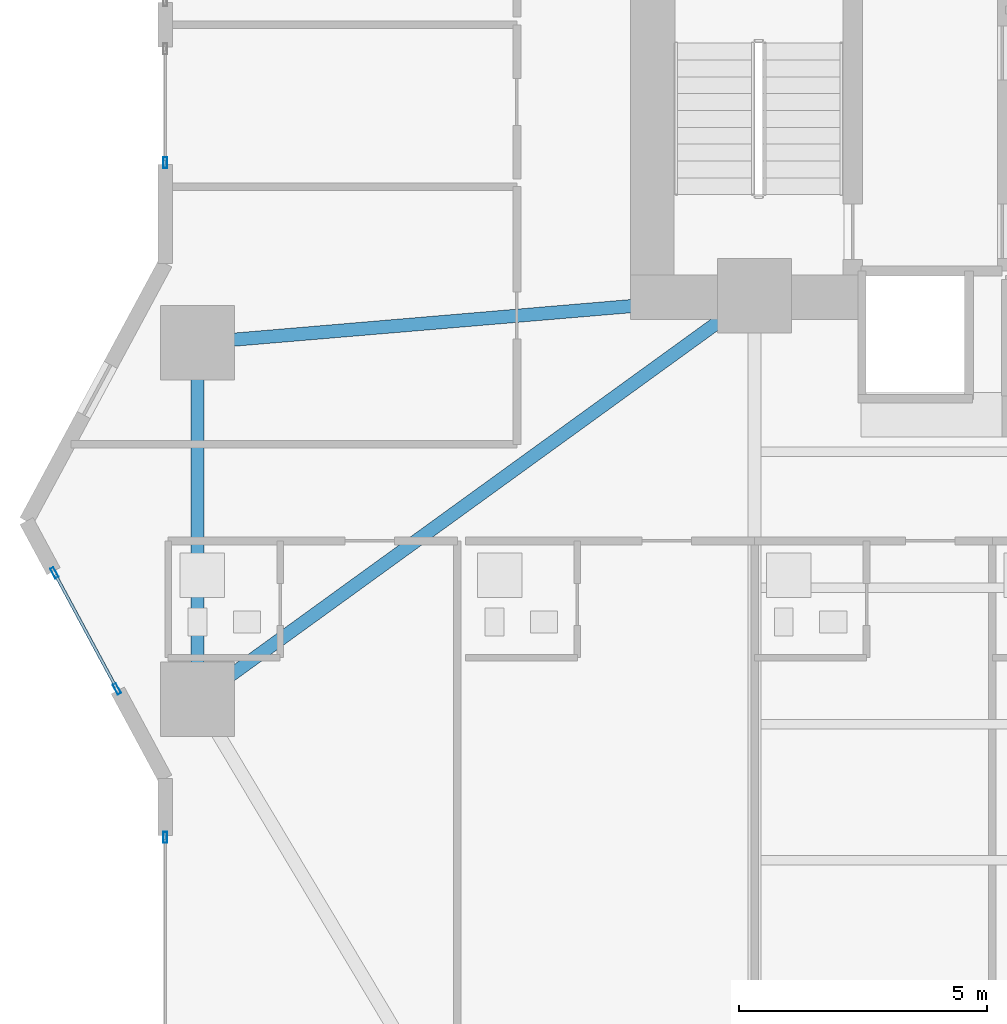
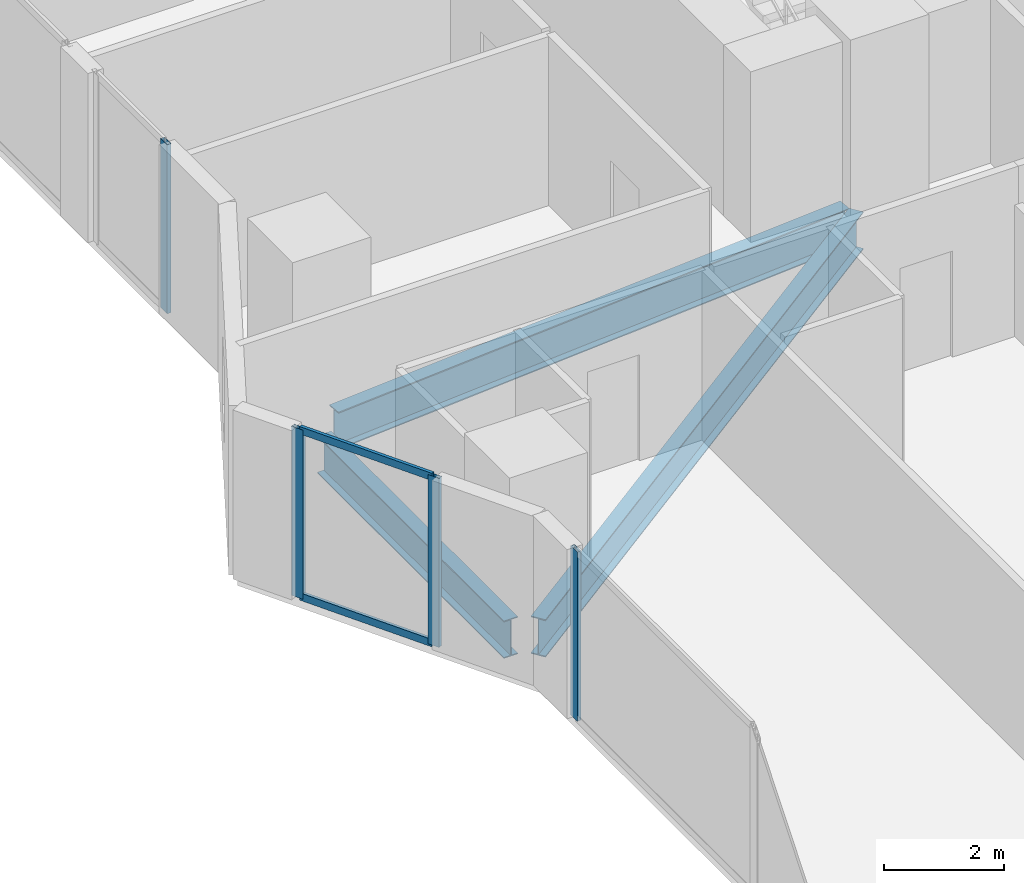
# One storey, part 6 of 29: 6 members, 3 beams, 3 elements without a shape of their own.
"""IFC4 building model written with IfcOpenShell, lengths in metres."""

from ifc_helpers import new_model, si_unit, direction, frame, origin, origin_2d, place, context, subcontext, project, spatial, hollow_rectangle, i_section, extrude, material, layer, layer_set, material_profile, profile_set, type_object, element, aggregate, save


model = new_model("IFC4")

# Units and contexts
model_context = context("Model", 3, precision=1e-05, world=origin(), true_north=direction((0.0, 1.0)))
body_context = subcontext(model_context, "Body", "Model", "MODEL_VIEW")
ifc_project = project(units=[si_unit("LENGTHUNIT", "METRE"), si_unit("AREAUNIT", "SQUARE_METRE"), si_unit("VOLUMEUNIT", "CUBIC_METRE"), si_unit("PLANEANGLEUNIT", "RADIAN"), si_unit("MASSUNIT", "GRAM", prefix="KILO")], contexts=[model_context])

# Site, building, storey
site_placement = place(None, origin())
site = spatial("IfcSite", under=ifc_project, at=site_placement, CompositionType="ELEMENT")
building_placement = place(site_placement, origin())
building = spatial("IfcBuilding", under=site, at=building_placement, Name="Zuhayl Quay Hotel", CompositionType="ELEMENT")
storey_placement = place(building_placement, frame((0.0, 0.0, 64.10009765625)))
storey = spatial("IfcBuildingStorey", under=building, at=storey_placement, Name="L15", CompositionType="ELEMENT", Elevation=64.10009765625)

# Beams
ifc_material_1 = material(Name="Steel ASTM A992 Grade 50", Category="steel")
ifc_material_profile_1 = material_profile(ifc_material_1, i_section(OverallWidth=0.26708984375, OverallDepth=0.761962890625, WebThickness=0.014404296875, FlangeThickness=0.021484375, at=origin_2d()), Name="W30X116")
ifc_profile_set_1 = profile_set([ifc_material_profile_1], Name="Steel ASTM A992 Grade 50")
beam_type = type_object("IfcBeamType", Name="BM_B1_W30X116", PredefinedType="BEAM", material=ifc_profile_set_1)
beam_1_placement = place(storey_placement, frame((-25.050048828125, 3.10009765625, -0.60107421875), z_axis=(0.0, -1.0, 0.0), x_axis=(1.0, 0.0, 0.0)))
element("IfcBeam", 1, at=beam_1_placement, inside=storey, type_object=beam_type, Name="L15 Floor Beam RG_L15_11", PredefinedType="BEAM", context=body_context, shape_type="SweptSolid", body=[
    extrude(i_section(OverallWidth=0.26708984375, OverallDepth=0.761962890625, WebThickness=0.014404296875, FlangeThickness=0.021484375, at=origin_2d()), origin(), (0.0, 0.0, 1.0), 6.2001953125),
])
beam_2_placement = place(storey_placement, frame((-24.64501953125, -3.306640625, -0.60107421875), z_axis=(0.809830244688, 0.586664277751, 0.0), x_axis=(-0.586664277751, 0.809830244688, 0.0)))
element("IfcBeam", 2, at=beam_2_placement, inside=storey, type_object=beam_type, Name="L15 Floor Beam FG_W_L15_1", PredefinedType="BEAM", context=body_context, shape_type="SweptSolid", body=[
    extrude(i_section(OverallWidth=0.26708984375, OverallDepth=0.761962890625, WebThickness=0.014404296875, FlangeThickness=0.021484375, at=origin_2d()), origin(), (0.0, 0.0, 1.0), 12.94189453125),
])
beam_3_placement = place(storey_placement, frame((-24.5517578125, 3.64208984375, -0.60107421875), z_axis=(0.996453145398, 0.084149444594, 0.0), x_axis=(-0.084149444594, 0.996453145398, 0.0)))
element("IfcBeam", 3, at=beam_3_placement, inside=storey, type_object=beam_type, Name="L15 Floor Beam FG_W_L15_2", PredefinedType="BEAM", context=body_context, shape_type="SweptSolid", body=[
    extrude(i_section(OverallWidth=0.26708984375, OverallDepth=0.761962890625, WebThickness=0.014404296875, FlangeThickness=0.021484375, at=origin_2d()), origin(), (0.0, 0.0, 1.0), 10.340087890625),
])

# Curtain wall, member
ifc_material_2 = material(Name="Anodised Aluminium 6063-T6", Category="aluminium")
ifc_layer = layer(ifc_material_2, 0.18994140625, Name="Anodised Aluminium 6063-T6", Category="aluminium")
ifc_layer_set = layer_set([ifc_layer], Name="Anodised Aluminium 6063-T6")
curtain_wall_type = type_object("IfcCurtainWallType", Name="CW_SYS_Z1", PredefinedType="USERDEFINED", material=ifc_layer_set)
curtain_wall_1_placement = place(storey_placement, origin())
curtain_wall_1 = element("IfcCurtainWall", 4, at=curtain_wall_1_placement, inside=storey, type_object=curtain_wall_type, Name="L15 Curtain Wall ENV_L15_E02_CW1", ObjectType="UNITISED CURTAIN WALL", PredefinedType="USERDEFINED")
ifc_material_3 = material(Name="Black-anodised aluminium 6063-T6", Category="aluminium")
ifc_material_profile_2 = material_profile(ifc_material_3, hollow_rectangle(XDim=0.074951171875, YDim=0.219970703125, WallThickness=0.00390625, at=origin_2d()), Name="ALU220X75")
ifc_profile_set_2 = profile_set([ifc_material_profile_2], Name="Black-anodised aluminium 6063-T6")
member_type_1 = type_object("IfcMemberType", Name="MB_CW_MUL_220", PredefinedType="MULLION", material=ifc_profile_set_2)
member_1_placement = place(storey_placement, frame((-25.699951171875, -6.387451171875, 0.0), z_axis=(0.0, 0.0, 1.0), x_axis=(-1.0, 0.0, 0.0)))
member_1 = element("IfcMember", 5, at=member_1_placement, type_object=member_type_1, Name="CW-Z1 mullion 3", PredefinedType="MULLION", context=body_context, shape_type="SweptSolid", body=[
    extrude(hollow_rectangle(XDim=0.074951171875, YDim=0.219970703125, WallThickness=0.00390625, at=origin_2d()), origin(), (0.0, 0.0, 1.0), 3.429931640625),
])
aggregate(curtain_wall_1, [member_1])

# Curtain wall, members
curtain_wall_2_placement = place(storey_placement, origin())
curtain_wall_2 = element("IfcCurtainWall", 6, at=curtain_wall_2_placement, inside=storey, type_object=curtain_wall_type, Name="L15 Curtain Wall ENV_L15_E03_CW1", ObjectType="UNITISED CURTAIN WALL", PredefinedType="USERDEFINED")
member_2_placement = place(storey_placement, frame((-26.67578125, -3.387939453125, 0.0), z_axis=(0.0, 0.0, 1.0), x_axis=(-0.880475795468, -0.474091102632, 0.0)))
member_2 = element("IfcMember", 7, at=member_2_placement, type_object=member_type_1, Name="CW-Z1 mullion 1", PredefinedType="MULLION", context=body_context, shape_type="SweptSolid", body=[
    extrude(hollow_rectangle(XDim=0.074951171875, YDim=0.219970703125, WallThickness=0.00390625, at=origin_2d()), origin(), (0.0, 0.0, 1.0), 3.429931640625),
])
member_3_placement = place(storey_placement, frame((-27.93701171875, -1.04541015625, 0.0), z_axis=(0.0, 0.0, 1.0), x_axis=(-0.880475795468, -0.474091102632, 0.0)))
member_3 = element("IfcMember", 8, at=member_3_placement, type_object=member_type_1, Name="CW-Z1 mullion 2", PredefinedType="MULLION", context=body_context, shape_type="SweptSolid", body=[
    extrude(hollow_rectangle(XDim=0.074951171875, YDim=0.219970703125, WallThickness=0.00390625, at=origin_2d()), origin(), (0.0, 0.0, 1.0), 3.429931640625),
])

# Curtain wall, member
curtain_wall_3_placement = place(storey_placement, origin())
curtain_wall_3 = element("IfcCurtainWall", 9, at=curtain_wall_3_placement, inside=storey, type_object=curtain_wall_type, Name="L15 Curtain Wall ENV_L15_E05_CW1", ObjectType="UNITISED CURTAIN WALL", PredefinedType="USERDEFINED")
member_4_placement = place(storey_placement, frame((-25.699951171875, 7.237548828125, 0.0), z_axis=(0.0, 0.0, 1.0), x_axis=(-1.0, 0.0, 0.0)))
member_4 = element("IfcMember", 10, at=member_4_placement, type_object=member_type_1, Name="CW-Z1 mullion 1", PredefinedType="MULLION", context=body_context, shape_type="SweptSolid", body=[
    extrude(hollow_rectangle(XDim=0.074951171875, YDim=0.219970703125, WallThickness=0.00390625, at=origin_2d()), origin(), (0.0, 0.0, 1.0), 3.429931640625),
])
aggregate(curtain_wall_3, [member_4])

# Member
ifc_material_profile_3 = material_profile(ifc_material_3, hollow_rectangle(XDim=0.06005859375, YDim=0.14990234375, WallThickness=0.00341796875, at=origin_2d()), Name="ALU150X60")
ifc_profile_set_3 = profile_set([ifc_material_profile_3], Name="Black-anodised aluminium 6063-T6")
member_type_2 = type_object("IfcMemberType", Name="MB_CW_TRN_150", PredefinedType="USERDEFINED", material=ifc_profile_set_3)
member_5_placement = place(storey_placement, frame((-26.693603515625, -3.35498046875, 0.02978515625), z_axis=(-0.474054771703, 0.880495356845, 0.0), x_axis=(-0.880495356845, -0.474054771703, 0.0)))
member_5 = element("IfcMember", 11, at=member_5_placement, type_object=member_type_2, Name="CW-Z1 transom 1.1", ObjectType="TRANSOM", PredefinedType="USERDEFINED", context=body_context, shape_type="SweptSolid", body=[
    extrude(hollow_rectangle(XDim=0.06005859375, YDim=0.14990234375, WallThickness=0.00341796875, at=origin_2d()), origin(), (0.0, 0.0, 1.0), 2.585205078125),
])

member_6_placement = place(storey_placement, frame((-26.693603515625, -3.35498046875, 3.39990234375), z_axis=(-0.474054771703, 0.880495356845, 0.0), x_axis=(-0.880495356845, -0.474054771703, 0.0)))
member_6 = element("IfcMember", 12, at=member_6_placement, type_object=member_type_2, Name="CW-Z1 transom 1.2", ObjectType="TRANSOM", PredefinedType="USERDEFINED", context=body_context, shape_type="SweptSolid", body=[
    extrude(hollow_rectangle(XDim=0.06005859375, YDim=0.14990234375, WallThickness=0.00341796875, at=origin_2d()), origin(), (0.0, 0.0, 1.0), 2.585205078125),
])

aggregate(curtain_wall_2, [member_2, member_3, member_5, member_6])

save(model, "model.ifc")
